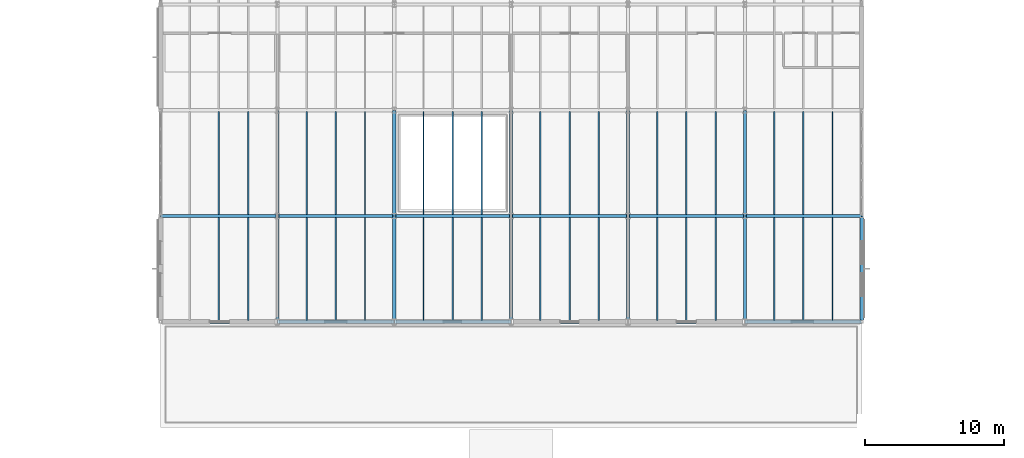
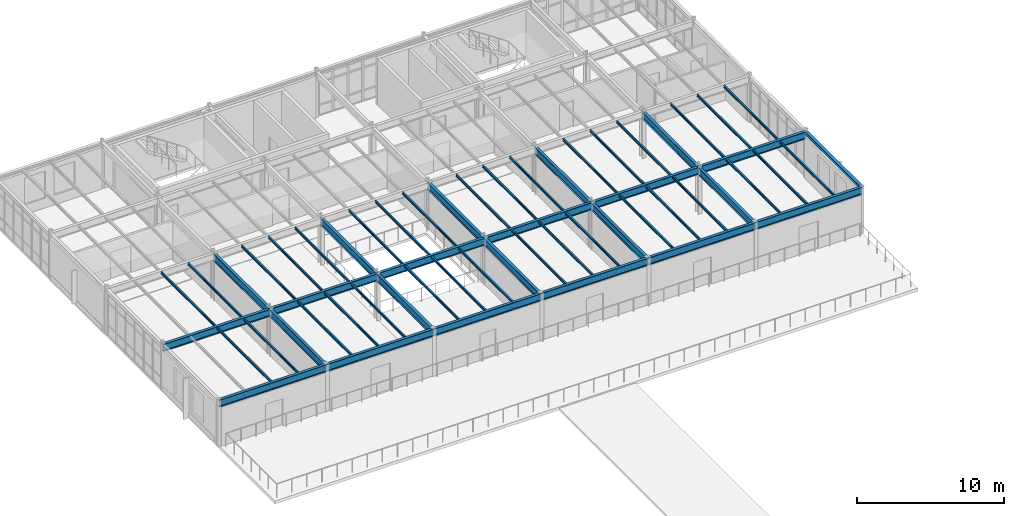
# One storey, part 45 of 114: 57 beams.
"""IFC4 building model written with IfcOpenShell, lengths in metres."""

from ifc_helpers import new_model, si_unit, direction, frame, origin, origin_2d, place, context, subcontext, project, spatial, i_section, extrude, material, material_profile, profile_set, type_object, element, save


model = new_model("IFC4")

# Units and contexts
model_context = context("Model", 3, precision=1e-05, world=origin(), true_north=direction((0.0, 1.0)))
body_context = subcontext(model_context, "Body", "Model", "MODEL_VIEW")
ifc_project = project(units=[si_unit("LENGTHUNIT", "METRE"), si_unit("AREAUNIT", "SQUARE_METRE"), si_unit("VOLUMEUNIT", "CUBIC_METRE"), si_unit("PLANEANGLEUNIT", "RADIAN"), si_unit("MASSUNIT", "GRAM", prefix="KILO")], contexts=[model_context])

# Site, building, storey
site_placement = place(None, origin())
site = spatial("IfcSite", under=ifc_project, at=site_placement, CompositionType="ELEMENT")
building_placement = place(site_placement, origin())
building = spatial("IfcBuilding", under=site, at=building_placement, Name="Montecoro Central Library", CompositionType="ELEMENT")
storey_placement = place(building_placement, frame((0.0, 0.0, 13.260009765625)))
storey = spatial("IfcBuildingStorey", under=building, at=storey_placement, Name="L03", CompositionType="ELEMENT", Elevation=13.260009765625)

# Beams
ifc_material_1 = material(Name="Steel S355J2", Category="steel")
ifc_material_profile_1 = material_profile(ifc_material_1, i_section(OverallWidth=0.219970703125, OverallDepth=0.60009765625, WebThickness=0.011962890625, FlangeThickness=0.01904296875, at=origin_2d()), Name="IPE 600")
ifc_profile_set_1 = profile_set([ifc_material_profile_1], Name="Steel S355J2")
beam_type_1 = type_object("IfcBeamType", Name="BM-G-IPE600", PredefinedType="USERDEFINED", material=ifc_profile_set_1)
beam_1_placement = place(storey_placement, frame((66.405029296875, 88.60009765625, 3.52490234375), z_axis=(1.0, 0.0, 0.0), x_axis=(0.0, 1.0, 0.0)))
element("IfcBeam", 1, at=beam_1_placement, inside=storey, type_object=beam_type_1, Name="V2-L03-BX-910-M", ObjectType="GIRDER", PredefinedType="USERDEFINED", context=body_context, shape_type="SweptSolid", body=[
    extrude(i_section(OverallWidth=0.219970703125, OverallDepth=0.60009765625, WebThickness=0.011962890625, FlangeThickness=0.01904296875, at=origin_2d()), origin(), (0.0, 0.0, 1.0), 8.389892578125),
])
beam_2_placement = place(storey_placement, frame((74.804931640625, 88.60009765625, 3.52490234375), z_axis=(1.0, 0.0, 0.0), x_axis=(0.0, 1.0, 0.0)))
element("IfcBeam", 2, at=beam_2_placement, inside=storey, type_object=beam_type_1, Name="V2-L03-BX-1011-M", ObjectType="GIRDER", PredefinedType="USERDEFINED", context=body_context, shape_type="SweptSolid", body=[
    extrude(i_section(OverallWidth=0.219970703125, OverallDepth=0.60009765625, WebThickness=0.011962890625, FlangeThickness=0.01904296875, at=origin_2d()), origin(), (0.0, 0.0, 1.0), 8.39013671875),
])
beam_3_placement = place(storey_placement, frame((83.205078125, 88.60009765625, 3.52490234375), z_axis=(1.0, 0.0, 0.0), x_axis=(0.0, 1.0, 0.0)))
element("IfcBeam", 3, at=beam_3_placement, inside=storey, type_object=beam_type_1, Name="V2-L03-BX-1112-M", ObjectType="GIRDER", PredefinedType="USERDEFINED", context=body_context, shape_type="SweptSolid", body=[
    extrude(i_section(OverallWidth=0.219970703125, OverallDepth=0.60009765625, WebThickness=0.011962890625, FlangeThickness=0.01904296875, at=origin_2d()), origin(), (0.0, 0.0, 1.0), 8.389892578125),
])
for number, where, z_axis, x_axis, name in (
    (4, (91.60498046875, 88.60009765625, 3.52490234375), (1.0, 0.0, 0.0), (0.0, 1.0, 0.0), "V2-L03-BX-1213-M"),
    (5, (100.0048828125, 88.60009765625, 3.52490234375), (1.0, 0.0, 0.0), (0.0, 1.0, 0.0), "V2-L03-BX-1314-M"),
):
    element("IfcBeam", number, at=place(storey_placement, frame(where, z_axis=z_axis, x_axis=x_axis)), inside=storey, type_object=beam_type_1, Name=name, ObjectType="GIRDER", PredefinedType="USERDEFINED", context=body_context, shape_type="SweptSolid", body=[
        extrude(i_section(OverallWidth=0.219970703125, OverallDepth=0.60009765625, WebThickness=0.011962890625, FlangeThickness=0.01904296875, at=origin_2d()), origin(), (0.0, 0.0, 1.0), 8.39013671875),
    ])
for number, where, z_axis, x_axis, name in (
    (6, (108.405029296875, 88.60009765625, 3.52490234375), (1.0, 0.0, 0.0), (0.0, 1.0, 0.0), "V2-L03-BX-1415-M"),
    (7, (66.405029296875, 96.199951171875, 3.52490234375), (1.0, 0.0, 0.0), (0.0, 1.0, 0.0), "V2-L03-BX-910-N"),
):
    element("IfcBeam", number, at=place(storey_placement, frame(where, z_axis=z_axis, x_axis=x_axis)), inside=storey, type_object=beam_type_1, Name=name, ObjectType="GIRDER", PredefinedType="USERDEFINED", context=body_context, shape_type="SweptSolid", body=[
        extrude(i_section(OverallWidth=0.219970703125, OverallDepth=0.60009765625, WebThickness=0.011962890625, FlangeThickness=0.01904296875, at=origin_2d()), origin(), (0.0, 0.0, 1.0), 8.389892578125),
    ])
beam_4_placement = place(storey_placement, frame((74.804931640625, 96.199951171875, 3.52490234375), z_axis=(1.0, 0.0, 0.0), x_axis=(0.0, 1.0, 0.0)))
element("IfcBeam", 8, at=beam_4_placement, inside=storey, type_object=beam_type_1, Name="V2-L03-BX-1011-N", ObjectType="GIRDER", PredefinedType="USERDEFINED", context=body_context, shape_type="SweptSolid", body=[
    extrude(i_section(OverallWidth=0.219970703125, OverallDepth=0.60009765625, WebThickness=0.011962890625, FlangeThickness=0.01904296875, at=origin_2d()), origin(), (0.0, 0.0, 1.0), 8.39013671875),
])
beam_5_placement = place(storey_placement, frame((83.205078125, 96.199951171875, 3.52490234375), z_axis=(1.0, 0.0, 0.0), x_axis=(0.0, 1.0, 0.0)))
element("IfcBeam", 9, at=beam_5_placement, inside=storey, type_object=beam_type_1, Name="V2-L03-BX-1112-N", ObjectType="GIRDER", PredefinedType="USERDEFINED", context=body_context, shape_type="SweptSolid", body=[
    extrude(i_section(OverallWidth=0.219970703125, OverallDepth=0.60009765625, WebThickness=0.011962890625, FlangeThickness=0.01904296875, at=origin_2d()), origin(), (0.0, 0.0, 1.0), 8.389892578125),
])
for number, where, z_axis, x_axis, name in (
    (10, (91.60498046875, 96.199951171875, 3.52490234375), (1.0, 0.0, 0.0), (0.0, 1.0, 0.0), "V2-L03-BX-1213-N"),
    (11, (100.0048828125, 96.199951171875, 3.52490234375), (1.0, 0.0, 0.0), (0.0, 1.0, 0.0), "V2-L03-BX-1314-N"),
):
    element("IfcBeam", number, at=place(storey_placement, frame(where, z_axis=z_axis, x_axis=x_axis)), inside=storey, type_object=beam_type_1, Name=name, ObjectType="GIRDER", PredefinedType="USERDEFINED", context=body_context, shape_type="SweptSolid", body=[
        extrude(i_section(OverallWidth=0.219970703125, OverallDepth=0.60009765625, WebThickness=0.011962890625, FlangeThickness=0.01904296875, at=origin_2d()), origin(), (0.0, 0.0, 1.0), 8.39013671875),
    ])
beam_6_placement = place(storey_placement, frame((108.405029296875, 96.199951171875, 3.52490234375), z_axis=(1.0, 0.0, 0.0), x_axis=(0.0, 1.0, 0.0)))
element("IfcBeam", 12, at=beam_6_placement, inside=storey, type_object=beam_type_1, Name="V2-L03-BX-1415-N", ObjectType="GIRDER", PredefinedType="USERDEFINED", context=body_context, shape_type="SweptSolid", body=[
    extrude(i_section(OverallWidth=0.219970703125, OverallDepth=0.60009765625, WebThickness=0.011962890625, FlangeThickness=0.01904296875, at=origin_2d()), origin(), (0.0, 0.0, 1.0), 8.389892578125),
])
beam_7_placement = place(storey_placement, frame((74.800048828125, 88.60498046875, 3.52490234375), z_axis=(0.0, 1.0, 0.0), x_axis=(-1.0, 0.0, 0.0)))
element("IfcBeam", 13, at=beam_7_placement, inside=storey, type_object=beam_type_1, Name="V2-L03-BY-10-MN", ObjectType="GIRDER", PredefinedType="USERDEFINED", context=body_context, shape_type="SweptSolid", body=[
    extrude(i_section(OverallWidth=0.219970703125, OverallDepth=0.60009765625, WebThickness=0.011962890625, FlangeThickness=0.01904296875, at=origin_2d()), origin(), (0.0, 0.0, 1.0), 7.590087890625),
])
beam_8_placement = place(storey_placement, frame((74.800048828125, 96.205078125, 3.52490234375), z_axis=(0.0, 1.0, 0.0), x_axis=(-1.0, 0.0, 0.0)))
element("IfcBeam", 14, at=beam_8_placement, inside=storey, type_object=beam_type_1, Name="V2-L03-BY-10-NP", ObjectType="GIRDER", PredefinedType="USERDEFINED", context=body_context, shape_type="SweptSolid", body=[
    extrude(i_section(OverallWidth=0.219970703125, OverallDepth=0.60009765625, WebThickness=0.011962890625, FlangeThickness=0.01904296875, at=origin_2d()), origin(), (0.0, 0.0, 1.0), 7.58984375),
])
beam_9_placement = place(storey_placement, frame((83.199951171875, 88.60498046875, 3.52490234375), z_axis=(0.0, 1.0, 0.0), x_axis=(-1.0, 0.0, 0.0)))
element("IfcBeam", 15, at=beam_9_placement, inside=storey, type_object=beam_type_1, Name="V2-L03-BY-11-MN", ObjectType="GIRDER", PredefinedType="USERDEFINED", context=body_context, shape_type="SweptSolid", body=[
    extrude(i_section(OverallWidth=0.219970703125, OverallDepth=0.60009765625, WebThickness=0.011962890625, FlangeThickness=0.01904296875, at=origin_2d()), origin(), (0.0, 0.0, 1.0), 7.590087890625),
])
beam_10_placement = place(storey_placement, frame((83.199951171875, 96.205078125, 3.52490234375), z_axis=(0.0, 1.0, 0.0), x_axis=(-1.0, 0.0, 0.0)))
element("IfcBeam", 16, at=beam_10_placement, inside=storey, type_object=beam_type_1, Name="V2-L03-BY-11-NP", ObjectType="GIRDER", PredefinedType="USERDEFINED", context=body_context, shape_type="SweptSolid", body=[
    extrude(i_section(OverallWidth=0.219970703125, OverallDepth=0.60009765625, WebThickness=0.011962890625, FlangeThickness=0.01904296875, at=origin_2d()), origin(), (0.0, 0.0, 1.0), 7.58984375),
])
beam_11_placement = place(storey_placement, frame((91.60009765625, 88.60498046875, 3.52490234375), z_axis=(0.0, 1.0, 0.0), x_axis=(-1.0, 0.0, 0.0)))
element("IfcBeam", 17, at=beam_11_placement, inside=storey, type_object=beam_type_1, Name="V2-L03-BY-12-MN", ObjectType="GIRDER", PredefinedType="USERDEFINED", context=body_context, shape_type="SweptSolid", body=[
    extrude(i_section(OverallWidth=0.219970703125, OverallDepth=0.60009765625, WebThickness=0.011962890625, FlangeThickness=0.01904296875, at=origin_2d()), origin(), (0.0, 0.0, 1.0), 7.590087890625),
])
beam_12_placement = place(storey_placement, frame((91.60009765625, 96.205078125, 3.52490234375), z_axis=(0.0, 1.0, 0.0), x_axis=(-1.0, 0.0, 0.0)))
element("IfcBeam", 18, at=beam_12_placement, inside=storey, type_object=beam_type_1, Name="V2-L03-BY-12-NP", ObjectType="GIRDER", PredefinedType="USERDEFINED", context=body_context, shape_type="SweptSolid", body=[
    extrude(i_section(OverallWidth=0.219970703125, OverallDepth=0.60009765625, WebThickness=0.011962890625, FlangeThickness=0.01904296875, at=origin_2d()), origin(), (0.0, 0.0, 1.0), 7.58984375),
])
beam_13_placement = place(storey_placement, frame((100.0, 88.60498046875, 3.52490234375), z_axis=(0.0, 1.0, 0.0), x_axis=(-1.0, 0.0, 0.0)))
element("IfcBeam", 19, at=beam_13_placement, inside=storey, type_object=beam_type_1, Name="V2-L03-BY-13-MN", ObjectType="GIRDER", PredefinedType="USERDEFINED", context=body_context, shape_type="SweptSolid", body=[
    extrude(i_section(OverallWidth=0.219970703125, OverallDepth=0.60009765625, WebThickness=0.011962890625, FlangeThickness=0.01904296875, at=origin_2d()), origin(), (0.0, 0.0, 1.0), 7.590087890625),
])
beam_14_placement = place(storey_placement, frame((100.0, 96.205078125, 3.52490234375), z_axis=(0.0, 1.0, 0.0), x_axis=(-1.0, 0.0, 0.0)))
element("IfcBeam", 20, at=beam_14_placement, inside=storey, type_object=beam_type_1, Name="V2-L03-BY-13-NP", ObjectType="GIRDER", PredefinedType="USERDEFINED", context=body_context, shape_type="SweptSolid", body=[
    extrude(i_section(OverallWidth=0.219970703125, OverallDepth=0.60009765625, WebThickness=0.011962890625, FlangeThickness=0.01904296875, at=origin_2d()), origin(), (0.0, 0.0, 1.0), 7.58984375),
])
beam_15_placement = place(storey_placement, frame((108.39990234375, 88.60498046875, 3.52490234375), z_axis=(0.0, 1.0, 0.0), x_axis=(-1.0, 0.0, 0.0)))
element("IfcBeam", 21, at=beam_15_placement, inside=storey, type_object=beam_type_1, Name="V2-L03-BY-14-MN", ObjectType="GIRDER", PredefinedType="USERDEFINED", context=body_context, shape_type="SweptSolid", body=[
    extrude(i_section(OverallWidth=0.219970703125, OverallDepth=0.60009765625, WebThickness=0.011962890625, FlangeThickness=0.01904296875, at=origin_2d()), origin(), (0.0, 0.0, 1.0), 7.590087890625),
])
beam_16_placement = place(storey_placement, frame((108.39990234375, 96.205078125, 3.52490234375), z_axis=(0.0, 1.0, 0.0), x_axis=(-1.0, 0.0, 0.0)))
element("IfcBeam", 22, at=beam_16_placement, inside=storey, type_object=beam_type_1, Name="V2-L03-BY-14-NP", ObjectType="GIRDER", PredefinedType="USERDEFINED", context=body_context, shape_type="SweptSolid", body=[
    extrude(i_section(OverallWidth=0.219970703125, OverallDepth=0.60009765625, WebThickness=0.011962890625, FlangeThickness=0.01904296875, at=origin_2d()), origin(), (0.0, 0.0, 1.0), 7.58984375),
])
ifc_material_2 = material(Name="Steel S355", Category="steel")
ifc_material_profile_2 = material_profile(ifc_material_2, i_section(OverallWidth=0.10009765625, OverallDepth=0.199951171875, WebThickness=0.005615234375, FlangeThickness=0.008544921875, at=origin_2d()), Name="IPE 200")
ifc_profile_set_2 = profile_set([ifc_material_profile_2], Name="Steel S355")
beam_type_2 = type_object("IfcBeamType", Name="BM-J-IPE200", PredefinedType="JOIST", material=ifc_profile_set_2)
for number, where, z_axis, x_axis, name in (
    (23, (70.60009765625, 88.70703125, 3.72509765625), (0.0, 1.0, 0.0), (-1.0, 0.0, 0.0), "V2-L03-JS-910-MN-2"),
    (24, (72.699951171875, 88.70703125, 3.72509765625), (0.0, 1.0, 0.0), (-1.0, 0.0, 0.0), "V2-L03-JS-910-MN-3"),
):
    element("IfcBeam", number, at=place(storey_placement, frame(where, z_axis=z_axis, x_axis=x_axis)), inside=storey, type_object=beam_type_2, Name=name, PredefinedType="JOIST", context=body_context, shape_type="SweptSolid", body=[
        extrude(i_section(OverallWidth=0.10009765625, OverallDepth=0.199951171875, WebThickness=0.005615234375, FlangeThickness=0.008544921875, at=origin_2d()), origin(), (0.0, 0.0, 1.0), 7.385986328125),
    ])
for number, where, z_axis, x_axis, name in (
    (25, (70.60009765625, 96.306884765625, 3.72509765625), (0.0, 1.0, 0.0), (-1.0, 0.0, 0.0), "V2-L03-JS-910-NP-2"),
    (26, (72.699951171875, 96.306884765625, 3.72509765625), (0.0, 1.0, 0.0), (-1.0, 0.0, 0.0), "V2-L03-JS-910-NP-3"),
):
    element("IfcBeam", number, at=place(storey_placement, frame(where, z_axis=z_axis, x_axis=x_axis)), inside=storey, type_object=beam_type_2, Name=name, PredefinedType="JOIST", context=body_context, shape_type="SweptSolid", body=[
        extrude(i_section(OverallWidth=0.10009765625, OverallDepth=0.199951171875, WebThickness=0.005615234375, FlangeThickness=0.008544921875, at=origin_2d()), origin(), (0.0, 0.0, 1.0), 7.38623046875),
    ])
for number, where, z_axis, x_axis, name in (
    (27, (76.89990234375, 88.70703125, 3.72509765625), (0.0, 1.0, 0.0), (-1.0, 0.0, 0.0), "V2-L03-JS-1011-MN-1"),
    (28, (79.0, 88.70703125, 3.72509765625), (0.0, 1.0, 0.0), (-1.0, 0.0, 0.0), "V2-L03-JS-1011-MN-2"),
    (29, (81.10009765625, 88.70703125, 3.72509765625), (0.0, 1.0, 0.0), (-1.0, 0.0, 0.0), "V2-L03-JS-1011-MN-3"),
):
    element("IfcBeam", number, at=place(storey_placement, frame(where, z_axis=z_axis, x_axis=x_axis)), inside=storey, type_object=beam_type_2, Name=name, PredefinedType="JOIST", context=body_context, shape_type="SweptSolid", body=[
        extrude(i_section(OverallWidth=0.10009765625, OverallDepth=0.199951171875, WebThickness=0.005615234375, FlangeThickness=0.008544921875, at=origin_2d()), origin(), (0.0, 0.0, 1.0), 7.385986328125),
    ])
for number, where, z_axis, x_axis, name in (
    (30, (76.89990234375, 96.306884765625, 3.72509765625), (0.0, 1.0, 0.0), (-1.0, 0.0, 0.0), "V2-L03-JS-1011-NP-1"),
    (31, (79.0, 96.306884765625, 3.72509765625), (0.0, 1.0, 0.0), (-1.0, 0.0, 0.0), "V2-L03-JS-1011-NP-2"),
    (32, (81.10009765625, 96.306884765625, 3.72509765625), (0.0, 1.0, 0.0), (-1.0, 0.0, 0.0), "V2-L03-JS-1011-NP-3"),
):
    element("IfcBeam", number, at=place(storey_placement, frame(where, z_axis=z_axis, x_axis=x_axis)), inside=storey, type_object=beam_type_2, Name=name, PredefinedType="JOIST", context=body_context, shape_type="SweptSolid", body=[
        extrude(i_section(OverallWidth=0.10009765625, OverallDepth=0.199951171875, WebThickness=0.005615234375, FlangeThickness=0.008544921875, at=origin_2d()), origin(), (0.0, 0.0, 1.0), 7.38623046875),
    ])
for number, where, z_axis, x_axis, name in (
    (33, (85.300048828125, 88.70703125, 3.72509765625), (0.0, 1.0, 0.0), (-1.0, 0.0, 0.0), "V2-L03-JS-1112-MN-1"),
    (34, (87.39990234375, 88.70703125, 3.72509765625), (0.0, 1.0, 0.0), (-1.0, 0.0, 0.0), "V2-L03-JS-1112-MN-2"),
    (35, (89.5, 88.70703125, 3.72509765625), (0.0, 1.0, 0.0), (-1.0, 0.0, 0.0), "V2-L03-JS-1112-MN-3"),
):
    element("IfcBeam", number, at=place(storey_placement, frame(where, z_axis=z_axis, x_axis=x_axis)), inside=storey, type_object=beam_type_2, Name=name, PredefinedType="JOIST", context=body_context, shape_type="SweptSolid", body=[
        extrude(i_section(OverallWidth=0.10009765625, OverallDepth=0.199951171875, WebThickness=0.005615234375, FlangeThickness=0.008544921875, at=origin_2d()), origin(), (0.0, 0.0, 1.0), 7.385986328125),
    ])
for number, where, z_axis, x_axis, name in (
    (36, (85.300048828125, 96.306884765625, 3.72509765625), (0.0, 1.0, 0.0), (-1.0, 0.0, 0.0), "V2-L03-JS-1112-NP-1"),
    (37, (87.39990234375, 96.306884765625, 3.72509765625), (0.0, 1.0, 0.0), (-1.0, 0.0, 0.0), "V2-L03-JS-1112-NP-2"),
    (38, (89.5, 96.306884765625, 3.72509765625), (0.0, 1.0, 0.0), (-1.0, 0.0, 0.0), "V2-L03-JS-1112-NP-3"),
):
    element("IfcBeam", number, at=place(storey_placement, frame(where, z_axis=z_axis, x_axis=x_axis)), inside=storey, type_object=beam_type_2, Name=name, PredefinedType="JOIST", context=body_context, shape_type="SweptSolid", body=[
        extrude(i_section(OverallWidth=0.10009765625, OverallDepth=0.199951171875, WebThickness=0.005615234375, FlangeThickness=0.008544921875, at=origin_2d()), origin(), (0.0, 0.0, 1.0), 7.38623046875),
    ])
for number, where, z_axis, x_axis, name in (
    (39, (93.699951171875, 88.70703125, 3.72509765625), (0.0, 1.0, 0.0), (-1.0, 0.0, 0.0), "V2-L03-JS-1213-MN-1"),
    (40, (95.800048828125, 88.70703125, 3.72509765625), (0.0, 1.0, 0.0), (-1.0, 0.0, 0.0), "V2-L03-JS-1213-MN-2"),
    (41, (97.89990234375, 88.70703125, 3.72509765625), (0.0, 1.0, 0.0), (-1.0, 0.0, 0.0), "V2-L03-JS-1213-MN-3"),
):
    element("IfcBeam", number, at=place(storey_placement, frame(where, z_axis=z_axis, x_axis=x_axis)), inside=storey, type_object=beam_type_2, Name=name, PredefinedType="JOIST", context=body_context, shape_type="SweptSolid", body=[
        extrude(i_section(OverallWidth=0.10009765625, OverallDepth=0.199951171875, WebThickness=0.005615234375, FlangeThickness=0.008544921875, at=origin_2d()), origin(), (0.0, 0.0, 1.0), 7.385986328125),
    ])
for number, where, z_axis, x_axis, name in (
    (42, (93.699951171875, 96.306884765625, 3.72509765625), (0.0, 1.0, 0.0), (-1.0, 0.0, 0.0), "V2-L03-JS-1213-NP-1"),
    (43, (95.800048828125, 96.306884765625, 3.72509765625), (0.0, 1.0, 0.0), (-1.0, 0.0, 0.0), "V2-L03-JS-1213-NP-2"),
    (44, (97.89990234375, 96.306884765625, 3.72509765625), (0.0, 1.0, 0.0), (-1.0, 0.0, 0.0), "V2-L03-JS-1213-NP-3"),
):
    element("IfcBeam", number, at=place(storey_placement, frame(where, z_axis=z_axis, x_axis=x_axis)), inside=storey, type_object=beam_type_2, Name=name, PredefinedType="JOIST", context=body_context, shape_type="SweptSolid", body=[
        extrude(i_section(OverallWidth=0.10009765625, OverallDepth=0.199951171875, WebThickness=0.005615234375, FlangeThickness=0.008544921875, at=origin_2d()), origin(), (0.0, 0.0, 1.0), 7.38623046875),
    ])
for number, where, z_axis, x_axis, name in (
    (45, (102.10009765625, 88.70703125, 3.72509765625), (0.0, 1.0, 0.0), (-1.0, 0.0, 0.0), "V2-L03-JS-1314-MN-1"),
    (46, (104.199951171875, 88.70703125, 3.72509765625), (0.0, 1.0, 0.0), (-1.0, 0.0, 0.0), "V2-L03-JS-1314-MN-2"),
    (47, (106.300048828125, 88.70703125, 3.72509765625), (0.0, 1.0, 0.0), (-1.0, 0.0, 0.0), "V2-L03-JS-1314-MN-3"),
):
    element("IfcBeam", number, at=place(storey_placement, frame(where, z_axis=z_axis, x_axis=x_axis)), inside=storey, type_object=beam_type_2, Name=name, PredefinedType="JOIST", context=body_context, shape_type="SweptSolid", body=[
        extrude(i_section(OverallWidth=0.10009765625, OverallDepth=0.199951171875, WebThickness=0.005615234375, FlangeThickness=0.008544921875, at=origin_2d()), origin(), (0.0, 0.0, 1.0), 7.385986328125),
    ])
for number, where, z_axis, x_axis, name in (
    (48, (102.10009765625, 96.306884765625, 3.72509765625), (0.0, 1.0, 0.0), (-1.0, 0.0, 0.0), "V2-L03-JS-1314-NP-1"),
    (49, (104.199951171875, 96.306884765625, 3.72509765625), (0.0, 1.0, 0.0), (-1.0, 0.0, 0.0), "V2-L03-JS-1314-NP-2"),
    (50, (106.300048828125, 96.306884765625, 3.72509765625), (0.0, 1.0, 0.0), (-1.0, 0.0, 0.0), "V2-L03-JS-1314-NP-3"),
):
    element("IfcBeam", number, at=place(storey_placement, frame(where, z_axis=z_axis, x_axis=x_axis)), inside=storey, type_object=beam_type_2, Name=name, PredefinedType="JOIST", context=body_context, shape_type="SweptSolid", body=[
        extrude(i_section(OverallWidth=0.10009765625, OverallDepth=0.199951171875, WebThickness=0.005615234375, FlangeThickness=0.008544921875, at=origin_2d()), origin(), (0.0, 0.0, 1.0), 7.38623046875),
    ])
for number, where, z_axis, x_axis, name in (
    (51, (110.5, 88.70703125, 3.72509765625), (0.0, 1.0, 0.0), (-1.0, 0.0, 0.0), "V2-L03-JS-1415-MN-1"),
    (52, (112.60009765625, 88.70703125, 3.72509765625), (0.0, 1.0, 0.0), (-1.0, 0.0, 0.0), "V2-L03-JS-1415-MN-2"),
    (53, (114.699951171875, 88.70703125, 3.72509765625), (0.0, 1.0, 0.0), (-1.0, 0.0, 0.0), "V2-L03-JS-1415-MN-3"),
):
    element("IfcBeam", number, at=place(storey_placement, frame(where, z_axis=z_axis, x_axis=x_axis)), inside=storey, type_object=beam_type_2, Name=name, PredefinedType="JOIST", context=body_context, shape_type="SweptSolid", body=[
        extrude(i_section(OverallWidth=0.10009765625, OverallDepth=0.199951171875, WebThickness=0.005615234375, FlangeThickness=0.008544921875, at=origin_2d()), origin(), (0.0, 0.0, 1.0), 7.385986328125),
    ])
for number, where, z_axis, x_axis, name in (
    (54, (110.5, 96.306884765625, 3.72509765625), (0.0, 1.0, 0.0), (-1.0, 0.0, 0.0), "V2-L03-JS-1415-NP-1"),
    (55, (112.60009765625, 96.306884765625, 3.72509765625), (0.0, 1.0, 0.0), (-1.0, 0.0, 0.0), "V2-L03-JS-1415-NP-2"),
    (56, (114.699951171875, 96.306884765625, 3.72509765625), (0.0, 1.0, 0.0), (-1.0, 0.0, 0.0), "V2-L03-JS-1415-NP-3"),
):
    element("IfcBeam", number, at=place(storey_placement, frame(where, z_axis=z_axis, x_axis=x_axis)), inside=storey, type_object=beam_type_2, Name=name, PredefinedType="JOIST", context=body_context, shape_type="SweptSolid", body=[
        extrude(i_section(OverallWidth=0.10009765625, OverallDepth=0.199951171875, WebThickness=0.005615234375, FlangeThickness=0.008544921875, at=origin_2d()), origin(), (0.0, 0.0, 1.0), 7.38623046875),
    ])
ifc_material_profile_3 = material_profile(ifc_material_2, i_section(OverallWidth=0.239990234375, OverallDepth=0.22998046875, WebThickness=0.007568359375, FlangeThickness=0.011962890625, at=origin_2d()), Name="HEA 240")
ifc_profile_set_3 = profile_set([ifc_material_profile_3], Name="Steel S355")
beam_type_3 = type_object("IfcBeamType", Name="BM-SP-HEA240", PredefinedType="SPANDREL", material=ifc_profile_set_3)
beam_17_placement = place(storey_placement, frame((116.800048828125, 88.60498046875, 3.7099609375), z_axis=(0.0, 1.0, 0.0), x_axis=(-1.0, 0.0, 0.0)))
element("IfcBeam", 57, at=beam_17_placement, inside=storey, type_object=beam_type_3, Name="V2-L03-BY-15-MN", PredefinedType="SPANDREL", context=body_context, shape_type="SweptSolid", body=[
    extrude(i_section(OverallWidth=0.239990234375, OverallDepth=0.22998046875, WebThickness=0.007568359375, FlangeThickness=0.011962890625, at=origin_2d()), origin(), (0.0, 0.0, 1.0), 7.590087890625),
])

save(model, "model.ifc")
